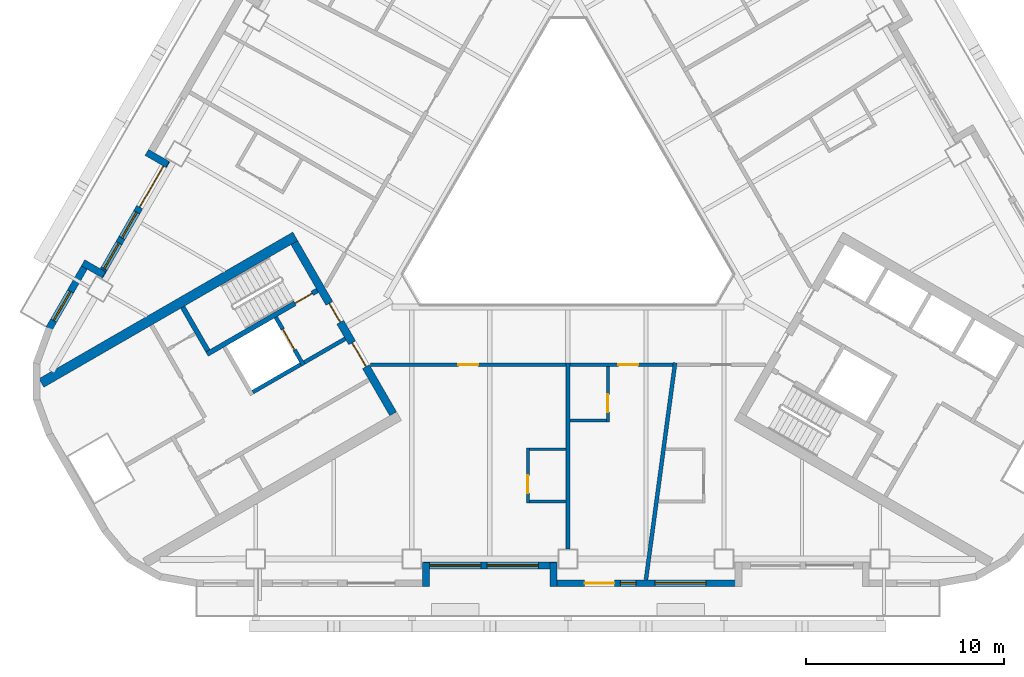
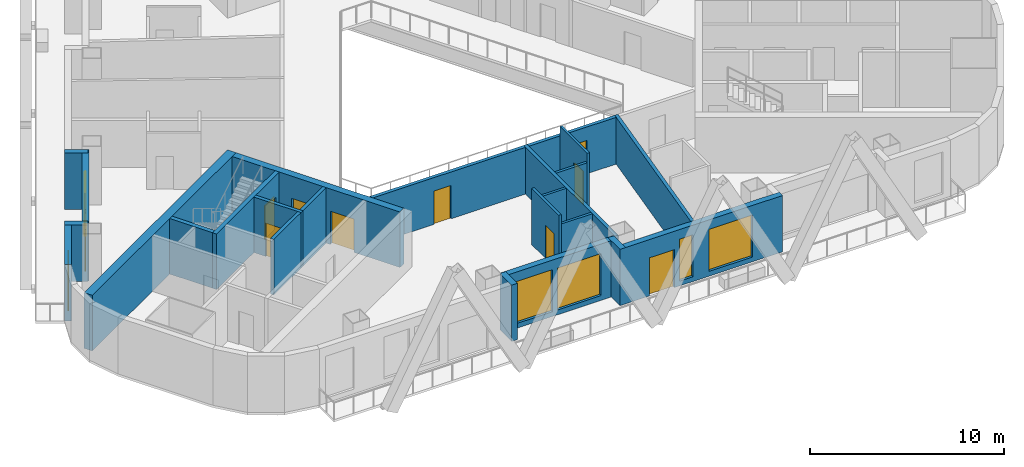
# One storey, part 3 of 13: 24 walls, 10 doors, 7 windows, 17 openings.
"""IFC4 building model written with IfcOpenShell, lengths in metres."""

from ifc_helpers import new_model, si_unit, direction, frame, frame_2d, origin, place, context, subcontext, project, spatial, rectangle, extrude, material, layer, layer_set, type_object, element, fill, save


model = new_model("IFC4")

# Units and contexts
model_context = context("Model", 3, precision=1e-05, world=origin(), true_north=direction((0.0, 1.0)))
body_context = subcontext(model_context, "Body", "Model", "MODEL_VIEW")
ifc_project = project(units=[si_unit("LENGTHUNIT", "METRE"), si_unit("AREAUNIT", "SQUARE_METRE"), si_unit("VOLUMEUNIT", "CUBIC_METRE"), si_unit("PLANEANGLEUNIT", "RADIAN"), si_unit("MASSUNIT", "GRAM", prefix="KILO")], contexts=[model_context])

# Site, building, storey
site_placement = place(None, origin())
site = spatial("IfcSite", under=ifc_project, at=site_placement, CompositionType="ELEMENT")
building_placement = place(site_placement, origin())
building = spatial("IfcBuilding", under=site, at=building_placement, Name="Apuvela Tower Hotel", CompositionType="ELEMENT")
storey_placement = place(building_placement, frame((0.0, 0.0, 61.300048828125)))
storey = spatial("IfcBuildingStorey", under=building, at=storey_placement, Name="L12", CompositionType="ELEMENT", Elevation=61.300048828125)

# Wall, openings, doors
ifc_material_1 = material(Name="Concrete C50/60", Category="concrete")
ifc_layer_1 = layer(ifc_material_1, 0.39990234375)
ifc_layer_set_1 = layer_set([ifc_layer_1], Name="COR-WALL-CORE-400")
wall_type_1 = type_object("IfcWallType", Name="COR-WALL-CORE-400", PredefinedType="SHEAR", material=ifc_layer_set_1)
wall_1_placement = place(storey_placement, frame((-13.844970703125, -2.219970703125, 0.0), z_axis=(0.0, 0.0, 1.0), x_axis=(0.500004234368, -0.866022959057, 0.0)))
wall_1 = element("IfcWall", 1, at=wall_1_placement, inside=storey, type_object=wall_type_1, Name="Core wall SW", PredefinedType="SHEAR", context=body_context, shape_type="SweptSolid", body=[
    extrude(rectangle(XDim=10.0, YDim=0.39990234375, at=frame_2d((5.0, 0.0))), origin(), (0.0, 0.0, 1.0), 3.5),
])
opening_1_placement = place(wall_1_placement, frame((3.550048828125, 0.0, 0.0)))
opening_1 = element("IfcOpeningElement", 2, at=opening_1_placement, cuts=wall_1, Name="Opening W-FD", PredefinedType="OPENING", context=body_context, shape_type="SweptSolid", body=[
    extrude(rectangle(XDim=1.10009765625, YDim=2.10009765625, at=frame_2d((0.550048828125, 1.050048828125))), frame((0.0, 0.2099609375, 0.0), z_axis=(0.0, -1.0, 0.0), x_axis=(1.0, 0.0, 0.0)), (0.0, 0.0, 1.0), 0.419921875),
])
opening_2_placement = place(wall_1_placement, frame((5.85009765625, 0.0, 0.0)))
opening_2 = element("IfcOpeningElement", 3, at=opening_2_placement, cuts=wall_1, Name="Opening W-GD", PredefinedType="OPENING", context=body_context, shape_type="SweptSolid", body=[
    extrude(rectangle(XDim=1.39990234375, YDim=2.10009765625, at=frame_2d((0.699951171875, 1.050048828125))), frame((0.0, 0.2099609375, 0.0), z_axis=(0.0, -1.0, 0.0), x_axis=(1.0, 0.0, 0.0)), (0.0, 0.0, 1.0), 0.419921875),
])
ifc_material_2 = material(Name="Steel fire door, powder coated", Category="steel")
door_type_1 = type_object("IfcDoorType", Name="COR-FD-1100", OperationType="NOTDEFINED", PredefinedType="DOOR", material=ifc_material_2)
door_1_placement = place(opening_1_placement, frame((1.10009765625, 0.0, 0.0), z_axis=(0.0, 0.0, 1.0), x_axis=(-1.0, 0.0, 0.0)))
door_1 = element("IfcDoor", 4, at=door_1_placement, inside=storey, type_object=door_type_1, Name="Firefighting lobby door W-FD", OperationType="SINGLE_SWING_LEFT", OverallHeight=2.10009765625, OverallWidth=1.10009765625, PredefinedType="DOOR", context=body_context, shape_type="SweptSolid", body=[
    extrude(rectangle(XDim=1.10009765625, YDim=2.10009765625, at=frame_2d((0.550048828125, 1.050048828125))), frame((0.0, 0.02490234375, 0.0), z_axis=(0.0, -1.0, 0.0), x_axis=(1.0, 0.0, 0.0)), (0.0, 0.0, 1.0), 0.050048828125),
])
fill(opening_1, door_1)
ifc_material_3 = material(Name="Glazed steel fire door", Category="steel")
door_type_2 = type_object("IfcDoorType", Name="COR-GD-1400", OperationType="DOUBLE_DOOR_SINGLE_SWING", PredefinedType="DOOR", material=ifc_material_3)
door_2_placement = place(opening_2_placement, frame((1.39990234375, 0.0, 0.0), z_axis=(0.0, 0.0, 1.0), x_axis=(-1.0, 0.0, 0.0)))
door_2 = element("IfcDoor", 5, at=door_2_placement, inside=storey, type_object=door_type_2, Name="Lift lobby door W-GD", OperationType="DOUBLE_DOOR_SINGLE_SWING", OverallHeight=2.10009765625, OverallWidth=1.39990234375, PredefinedType="DOOR", context=body_context, shape_type="SweptSolid", body=[
    extrude(rectangle(XDim=1.39990234375, YDim=2.10009765625, at=frame_2d((0.699951171875, 1.050048828125))), frame((0.0, 0.02490234375, 0.0), z_axis=(0.0, -1.0, 0.0), x_axis=(1.0, 0.0, 0.0)), (0.0, 0.0, 1.0), 0.050048828125),
])
fill(opening_2, door_2)

# Wall
ifc_layer_2 = layer(ifc_material_1, 0.5)
ifc_layer_set_2 = layer_set([ifc_layer_2], Name="COR-WALL-CORE-500")
wall_type_2 = type_object("IfcWallType", Name="COR-WALL-CORE-500", PredefinedType="SHEAR", material=ifc_layer_set_2)
wall_2_placement = place(storey_placement, frame((-13.796630859375, -1.9033203125, 0.0), z_axis=(0.0, 0.0, 1.0), x_axis=(-0.866025009528, -0.500000682871, 0.0)))
element("IfcWall", 6, at=wall_2_placement, inside=storey, type_object=wall_type_2, Name="Core wall SW", PredefinedType="SHEAR", context=body_context, shape_type="SweptSolid", body=[
    extrude(rectangle(XDim=14.8369140625, YDim=0.5, at=frame_2d((7.41845703125, 0.0))), origin(), (0.0, 0.0, 1.0), 3.5),
])

# Wall, opening, door
ifc_layer_3 = layer(ifc_material_1, 0.199951171875)
ifc_layer_set_3 = layer_set([ifc_layer_3], Name="COR-WALL-SHAFT-200")
wall_type_3 = type_object("IfcWallType", Name="COR-WALL-SHAFT-200", PredefinedType="SHEAR", material=ifc_layer_set_3)
wall_3_placement = place(storey_placement, frame((-14.783203125, -5.99462890625, 0.0), z_axis=(0.0, 0.0, 1.0), x_axis=(0.49994636267, -0.866056369097, 0.0)))
wall_3 = element("IfcWall", 7, at=wall_3_placement, inside=storey, type_object=wall_type_3, Name="Shaft wall SW", PredefinedType="SHEAR", context=body_context, shape_type="SweptSolid", body=[
    extrude(rectangle(XDim=2.800048828125, YDim=0.199951171875, at=frame_2d((1.39990234375, 0.0))), origin(), (0.0, 0.0, 1.0), 3.5),
])
opening_3_placement = place(wall_3_placement, frame((0.699951171875, 0.0, 0.0)))
opening_3 = element("IfcOpeningElement", 8, at=opening_3_placement, cuts=wall_3, Name="Opening W-LD-FS2", PredefinedType="OPENING", context=body_context, shape_type="SweptSolid", body=[
    extrude(rectangle(XDim=1.199951171875, YDim=2.10009765625, at=frame_2d((0.60009765625, 1.050048828125))), frame((0.0, 0.10986328125, 0.0), z_axis=(0.0, -1.0, 0.0), x_axis=(1.0, 0.0, 0.0)), (0.0, 0.0, 1.0), 0.219970703125),
])
ifc_material_4 = material(Name="Stainless steel lift landing door", Category="steel")
door_type_3 = type_object("IfcDoorType", Name="COR-LD-1200", OperationType="DOUBLE_DOOR_SLIDING", PredefinedType="DOOR", material=ifc_material_4)
door_3_placement = place(opening_3_placement, origin())
door_3 = element("IfcDoor", 9, at=door_3_placement, inside=storey, type_object=door_type_3, Name="Lift landing door W-LD-FS2", OperationType="DOUBLE_DOOR_SLIDING", OverallHeight=2.10009765625, OverallWidth=1.199951171875, PredefinedType="DOOR", context=body_context, shape_type="SweptSolid", body=[
    extrude(rectangle(XDim=1.199951171875, YDim=2.10009765625, at=frame_2d((0.60009765625, 1.050048828125))), frame((0.0, 0.02490234375, 0.0), z_axis=(0.0, -1.0, 0.0), x_axis=(1.0, 0.0, 0.0)), (0.0, 0.0, 1.0), 0.050048828125),
])
fill(opening_3, door_3)

# Walls
wall_4_placement = place(storey_placement, frame((-13.519775390625, -8.383056640625, 0.0), z_axis=(0.0, 0.0, 1.0), x_axis=(-0.866034573852, -0.49998411664, 0.0)))
element("IfcWall", 10, at=wall_4_placement, inside=storey, type_object=wall_type_3, Name="Shaft wall SW", PredefinedType="SHEAR", context=body_context, shape_type="SweptSolid", body=[
    extrude(rectangle(XDim=2.7998046875, YDim=0.199951171875, at=frame_2d((1.39990234375, 0.0))), origin(), (0.0, 0.0, 1.0), 3.5),
])
wall_5_placement = place(storey_placement, frame((-11.26806640625, -7.0830078125, 0.0), z_axis=(0.0, 0.0, 1.0), x_axis=(-0.866050077142, -0.499957262057, 0.0)))
element("IfcWall", 11, at=wall_5_placement, inside=storey, type_object=wall_type_3, Name="Shaft wall SW", PredefinedType="SHEAR", context=body_context, shape_type="SweptSolid", body=[
    extrude(rectangle(XDim=2.400146484375, YDim=0.199951171875, at=frame_2d((1.2001953125, 0.0))), origin(), (0.0, 0.0, 1.0), 3.5),
])

# Wall, opening, door
ifc_layer_4 = layer(ifc_material_1, 0.25)
ifc_layer_set_4 = layer_set([ifc_layer_4], Name="COR-WALL-STAIR-250")
wall_type_4 = type_object("IfcWallType", Name="COR-WALL-STAIR-250", PredefinedType="SHEAR", material=ifc_layer_set_4)
wall_6_placement = place(storey_placement, frame((-12.6806640625, -4.636474609375, 0.0), z_axis=(0.0, 0.0, 1.0), x_axis=(-0.866021702275, -0.500006411147, 0.0)))
wall_6 = element("IfcWall", 12, at=wall_6_placement, inside=storey, type_object=wall_type_4, Name="Stair wall SW", PredefinedType="SHEAR", context=body_context, shape_type="SweptSolid", body=[
    extrude(rectangle(XDim=6.4501953125, YDim=0.25, at=frame_2d((3.22509765625, 0.0))), origin(), (0.0, 0.0, 1.0), 3.5),
])
opening_4_placement = place(wall_6_placement, frame((0.300048828125, 0.0, 0.0)))
opening_4 = element("IfcOpeningElement", 13, at=opening_4_placement, cuts=wall_6, Name="Opening W-SD", PredefinedType="OPENING", context=body_context, shape_type="SweptSolid", body=[
    extrude(rectangle(XDim=1.0, YDim=2.10009765625, at=frame_2d((0.5, 1.050048828125))), frame((0.0, 0.135009765625, 0.0), z_axis=(0.0, -1.0, 0.0), x_axis=(1.0, 0.0, 0.0)), (0.0, 0.0, 1.0), 0.27001953125),
])
door_type_4 = type_object("IfcDoorType", Name="COR-SD-1000", OperationType="NOTDEFINED", PredefinedType="DOOR", material=ifc_material_2)
door_4_placement = place(opening_4_placement, frame((1.0, 0.0, 0.0), z_axis=(0.0, 0.0, 1.0), x_axis=(-1.0, 0.0, 0.0)))
door_4 = element("IfcDoor", 14, at=door_4_placement, inside=storey, type_object=door_type_4, Name="Stair door W-SD", OperationType="SINGLE_SWING_LEFT", OverallHeight=2.10009765625, OverallWidth=1.0, PredefinedType="DOOR", context=body_context, shape_type="SweptSolid", body=[
    extrude(rectangle(XDim=1.0, YDim=2.10009765625, at=frame_2d((0.5, 1.050048828125))), frame((0.0, 0.02490234375, 0.0), z_axis=(0.0, -1.0, 0.0), x_axis=(1.0, 0.0, 0.0)), (0.0, 0.0, 1.0), 0.050048828125),
])
fill(opening_4, door_4)

# Walls
wall_7_placement = place(storey_placement, frame((-19.49560546875, -5.482421875, 0.0), z_axis=(0.0, 0.0, 1.0), x_axis=(0.499990435942, -0.866030925526, 0.0)))
element("IfcWall", 15, at=wall_7_placement, inside=storey, type_object=wall_type_4, Name="Stair wall SW", PredefinedType="SHEAR", context=body_context, shape_type="SweptSolid", body=[
    extrude(rectangle(XDim=2.5498046875, YDim=0.25, at=frame_2d((1.27490234375, 0.0))), origin(), (0.0, 0.0, 1.0), 3.5),
])
ifc_material_5 = material(Name="Concrete C40/50, dark pigmented precast panel", Category="concrete")
ifc_layer_5 = layer(ifc_material_5, 0.35009765625)
ifc_layer_set_5 = layer_set([ifc_layer_5], Name="ENV-WALL-350")
wall_type_5 = type_object("IfcWallType", Name="ENV-WALL-350", PredefinedType="SOLIDWALL", material=ifc_layer_set_5)
wall_8_placement = place(storey_placement, frame((-21.3125, 2.345703125, 0.0), z_axis=(0.0, 0.0, 1.0), x_axis=(0.866005645448, -0.500034220881, 0.0)))
element("IfcWall", 16, at=wall_8_placement, inside=storey, type_object=wall_type_5, Name="External wall L12-06", PredefinedType="SOLIDWALL", context=body_context, shape_type="SweptSolid", body=[
    extrude(rectangle(XDim=1.22021484375, YDim=0.35009765625, at=frame_2d((0.610107421875, 0.0))), origin(), (0.0, 0.0, 1.0), 3.550048828125),
])

# Wall, openings, door, windows
wall_9_placement = place(storey_placement, frame((-20.30908203125, 1.93359375, 0.0), z_axis=(0.0, 0.0, 1.0), x_axis=(-0.499992114976, -0.866029956157, 0.0)))
wall_9 = element("IfcWall", 17, at=wall_9_placement, inside=storey, type_object=wall_type_5, Name="External wall L12-07", PredefinedType="SOLIDWALL", context=body_context, shape_type="SweptSolid", body=[
    extrude(rectangle(XDim=6.73974609375, YDim=0.35009765625, at=frame_2d((3.369873046875, 0.0))), origin(), (0.0, 0.0, 1.0), 3.550048828125),
])
opening_5_placement = place(wall_9_placement, frame((0.320068359375, 0.0, 0.0)))
opening_5 = element("IfcOpeningElement", 18, at=opening_5_placement, cuts=wall_9, Name="Opening BD24", PredefinedType="OPENING", context=body_context, shape_type="SweptSolid", body=[
    extrude(rectangle(XDim=2.39990234375, YDim=2.39990234375, at=frame_2d((1.199951171875, 1.199951171875))), frame((0.0, 0.18505859375, 0.0), z_axis=(0.0, -1.0, 0.0), x_axis=(1.0, 0.0, 0.0)), (0.0, 0.0, 1.0), 0.3701171875),
])
opening_6_placement = place(wall_9_placement, frame((3.02001953125, 0.0, 0.300048828125)))
opening_6 = element("IfcOpeningElement", 19, at=opening_6_placement, cuts=wall_9, Name="Opening WN15", PredefinedType="OPENING", context=body_context, shape_type="SweptSolid", body=[
    extrude(rectangle(XDim=1.5, YDim=2.64990234375, at=frame_2d((0.75, 1.324951171875))), frame((0.0, 0.18505859375, 0.0), z_axis=(0.0, -1.0, 0.0), x_axis=(1.0, 0.0, 0.0)), (0.0, 0.0, 1.0), 0.3701171875),
])
opening_7_placement = place(wall_9_placement, frame((4.820068359375, 0.0, 0.300048828125)))
opening_7 = element("IfcOpeningElement", 20, at=opening_7_placement, cuts=wall_9, Name="Opening WN15", PredefinedType="OPENING", context=body_context, shape_type="SweptSolid", body=[
    extrude(rectangle(XDim=1.5, YDim=2.64990234375, at=frame_2d((0.75, 1.324951171875))), frame((0.0, 0.18505859375, 0.0), z_axis=(0.0, -1.0, 0.0), x_axis=(1.0, 0.0, 0.0)), (0.0, 0.0, 1.0), 0.3701171875),
])
ifc_material_6 = material(Name="Aluminium 6063-T6, dark bronze anodised frame with dark tinted laminated glass", Category="aluminium")
door_type_5 = type_object("IfcDoorType", Name="ENV-DOOR-BALCONY-2400x2400", OperationType="SLIDING_TO_LEFT", PredefinedType="DOOR", material=ifc_material_6)
door_5_placement = place(opening_5_placement, frame((2.39990234375, 0.0, 0.0), z_axis=(0.0, 0.0, 1.0), x_axis=(-1.0, 0.0, 0.0)))
door_5 = element("IfcDoor", 21, at=door_5_placement, inside=storey, type_object=door_type_5, Name="Balcony door BD24", OperationType="SLIDING_TO_LEFT", OverallHeight=2.39990234375, OverallWidth=2.39990234375, PredefinedType="DOOR", context=body_context, shape_type="SweptSolid", body=[
    extrude(rectangle(XDim=2.39990234375, YDim=2.39990234375, at=frame_2d((1.199951171875, 1.199951171875))), frame((0.0, 0.02490234375, 0.0), z_axis=(0.0, -1.0, 0.0), x_axis=(1.0, 0.0, 0.0)), (0.0, 0.0, 1.0), 0.050048828125),
])
fill(opening_5, door_5)
ifc_material_7 = material(Name="Glass, dark tinted laminated insulated glazing unit", Category="glass")
window_type_1 = type_object("IfcWindowType", Name="ENV-WIN-1500x2650", PartitioningType="SINGLE_PANEL", PredefinedType="WINDOW", material=ifc_material_7)
window_1_placement = place(opening_6_placement, origin())
window_1 = element("IfcWindow", 22, at=window_1_placement, inside=storey, type_object=window_type_1, Name="Window WN15", OverallHeight=2.64990234375, OverallWidth=1.5, PartitioningType="SINGLE_PANEL", PredefinedType="WINDOW", context=body_context, shape_type="SweptSolid", body=[
    extrude(rectangle(XDim=1.5, YDim=2.64990234375, at=frame_2d((0.75, 1.324951171875))), frame((0.0, 0.030029296875, 0.0), z_axis=(0.0, -1.0, 0.0), x_axis=(1.0, 0.0, 0.0)), (0.0, 0.0, 1.0), 0.06005859375),
])
fill(opening_6, window_1)
window_2_placement = place(opening_7_placement, origin())
window_2 = element("IfcWindow", 23, at=window_2_placement, inside=storey, type_object=window_type_1, Name="Window WN15", OverallHeight=2.64990234375, OverallWidth=1.5, PartitioningType="SINGLE_PANEL", PredefinedType="WINDOW", context=body_context, shape_type="SweptSolid", body=[
    extrude(rectangle(XDim=1.5, YDim=2.64990234375, at=frame_2d((0.75, 1.324951171875))), frame((0.0, 0.030029296875, 0.0), z_axis=(0.0, -1.0, 0.0), x_axis=(1.0, 0.0, 0.0)), (0.0, 0.0, 1.0), 0.06005859375),
])
fill(opening_7, window_2)

# Wall
wall_10_placement = place(storey_placement, frame((-23.48095703125, -3.85009765625, 0.0), z_axis=(0.0, 0.0, 1.0), x_axis=(-0.866092288191, 0.499884134912, 0.0)))
element("IfcWall", 24, at=wall_10_placement, inside=storey, type_object=wall_type_5, Name="External wall L12-08", PredefinedType="SOLIDWALL", context=body_context, shape_type="SweptSolid", body=[
    extrude(rectangle(XDim=1.219970703125, YDim=0.35009765625, at=frame_2d((0.60986328125, 0.0))), origin(), (0.0, 0.0, 1.0), 3.550048828125),
])

# Wall, opening, window
wall_11_placement = place(storey_placement, frame((-24.298583984375, -3.17626953125, 0.0), z_axis=(0.0, 0.0, 1.0), x_axis=(-0.500028278809, -0.866009076391, 0.0)))
wall_11 = element("IfcWall", 25, at=wall_11_placement, inside=storey, type_object=wall_type_5, Name="External wall L12-09", PredefinedType="SOLIDWALL", context=body_context, shape_type="SweptSolid", body=[
    extrude(rectangle(XDim=3.915771484375, YDim=0.35009765625, at=frame_2d((1.9580078125, 0.0))), origin(), (0.0, 0.0, 1.0), 3.550048828125),
])
opening_8_placement = place(wall_11_placement, frame((1.750244140625, 0.0, 0.300048828125)))
opening_8 = element("IfcOpeningElement", 26, at=opening_8_placement, cuts=wall_11, Name="Opening WN17", PredefinedType="OPENING", context=body_context, shape_type="SweptSolid", body=[
    extrude(rectangle(XDim=1.699951171875, YDim=2.64990234375, at=frame_2d((0.85009765625, 1.324951171875))), frame((0.0, 0.18505859375, 0.0), z_axis=(0.0, -1.0, 0.0), x_axis=(1.0, 0.0, 0.0)), (0.0, 0.0, 1.0), 0.3701171875),
])
window_type_2 = type_object("IfcWindowType", Name="ENV-WIN-1700x2650", PartitioningType="SINGLE_PANEL", PredefinedType="WINDOW", material=ifc_material_7)
window_3_placement = place(opening_8_placement, origin())
window_3 = element("IfcWindow", 27, at=window_3_placement, inside=storey, type_object=window_type_2, Name="Window WN17", OverallHeight=2.64990234375, OverallWidth=1.699951171875, PartitioningType="SINGLE_PANEL", PredefinedType="WINDOW", context=body_context, shape_type="SweptSolid", body=[
    extrude(rectangle(XDim=1.699951171875, YDim=2.64990234375, at=frame_2d((0.85009765625, 1.324951171875))), frame((0.0, 0.030029296875, 0.0), z_axis=(0.0, -1.0, 0.0), x_axis=(1.0, 0.0, 0.0)), (0.0, 0.0, 1.0), 0.06005859375),
])
fill(opening_8, window_3)

# Wall
wall_12_placement = place(storey_placement, frame((-7.175048828125, -19.6298828125, 0.0), z_axis=(0.0, 0.0, 1.0), x_axis=(0.0, 1.0, 0.0)))
element("IfcWall", 28, at=wall_12_placement, inside=storey, type_object=wall_type_5, Name="External wall L12-18", PredefinedType="SOLIDWALL", context=body_context, shape_type="SweptSolid", body=[
    extrude(rectangle(XDim=1.219970703125, YDim=0.35009765625, at=frame_2d((0.60986328125, 0.0))), origin(), (0.0, 0.0, 1.0), 3.550048828125),
])

# Wall, openings, windows
wall_13_placement = place(storey_placement, frame((-7.320068359375, -18.554931640625, 0.0), z_axis=(0.0, 0.0, 1.0), x_axis=(1.0, 0.0, 0.0)))
wall_13 = element("IfcWall", 29, at=wall_13_placement, inside=storey, type_object=wall_type_5, Name="External wall L12-19", PredefinedType="SOLIDWALL", context=body_context, shape_type="SweptSolid", body=[
    extrude(rectangle(XDim=6.739990234375, YDim=0.35009765625, at=frame_2d((3.3701171875, 0.0))), origin(), (0.0, 0.0, 1.0), 3.550048828125),
])
opening_9_placement = place(wall_13_placement, frame((0.3203125, 0.0, 0.300048828125)))
opening_9 = element("IfcOpeningElement", 30, at=opening_9_placement, cuts=wall_13, Name="Opening WN26", PredefinedType="OPENING", context=body_context, shape_type="SweptSolid", body=[
    extrude(rectangle(XDim=2.60009765625, YDim=2.64990234375, at=frame_2d((1.300048828125, 1.324951171875))), frame((0.0, 0.18505859375, 0.0), z_axis=(0.0, -1.0, 0.0), x_axis=(1.0, 0.0, 0.0)), (0.0, 0.0, 1.0), 0.3701171875),
])
opening_10_placement = place(wall_13_placement, frame((3.220458984375, 0.0, 0.300048828125)))
opening_10 = element("IfcOpeningElement", 31, at=opening_10_placement, cuts=wall_13, Name="Opening WN26", PredefinedType="OPENING", context=body_context, shape_type="SweptSolid", body=[
    extrude(rectangle(XDim=2.60009765625, YDim=2.64990234375, at=frame_2d((1.300048828125, 1.324951171875))), frame((0.0, 0.18505859375, 0.0), z_axis=(0.0, -1.0, 0.0), x_axis=(1.0, 0.0, 0.0)), (0.0, 0.0, 1.0), 0.3701171875),
])
window_type_3 = type_object("IfcWindowType", Name="ENV-WIN-2600x2650", PartitioningType="SINGLE_PANEL", PredefinedType="WINDOW", material=ifc_material_7)
window_4_placement = place(opening_9_placement, origin())
window_4 = element("IfcWindow", 32, at=window_4_placement, inside=storey, type_object=window_type_3, Name="Window WN26", OverallHeight=2.64990234375, OverallWidth=2.60009765625, PartitioningType="SINGLE_PANEL", PredefinedType="WINDOW", context=body_context, shape_type="SweptSolid", body=[
    extrude(rectangle(XDim=2.60009765625, YDim=2.64990234375, at=frame_2d((1.300048828125, 1.324951171875))), frame((0.0, 0.030029296875, 0.0), z_axis=(0.0, -1.0, 0.0), x_axis=(1.0, 0.0, 0.0)), (0.0, 0.0, 1.0), 0.06005859375),
])
fill(opening_9, window_4)
window_5_placement = place(opening_10_placement, origin())
window_5 = element("IfcWindow", 33, at=window_5_placement, inside=storey, type_object=window_type_3, Name="Window WN26", OverallHeight=2.64990234375, OverallWidth=2.60009765625, PartitioningType="SINGLE_PANEL", PredefinedType="WINDOW", context=body_context, shape_type="SweptSolid", body=[
    extrude(rectangle(XDim=2.60009765625, YDim=2.64990234375, at=frame_2d((1.300048828125, 1.324951171875))), frame((0.0, 0.030029296875, 0.0), z_axis=(0.0, -1.0, 0.0), x_axis=(1.0, 0.0, 0.0)), (0.0, 0.0, 1.0), 0.06005859375),
])
fill(opening_10, window_5)

# Wall
wall_14_placement = place(storey_placement, frame((-0.72509765625, -18.409912109375, 0.0), z_axis=(0.0, 0.0, 1.0), x_axis=(0.0, -1.0, 0.0)))
element("IfcWall", 34, at=wall_14_placement, inside=storey, type_object=wall_type_5, Name="External wall L12-20", PredefinedType="SOLIDWALL", context=body_context, shape_type="SweptSolid", body=[
    extrude(rectangle(XDim=1.219970703125, YDim=0.35009765625, at=frame_2d((0.60986328125, 0.0))), origin(), (0.0, 0.0, 1.0), 3.550048828125),
])

# Wall, openings, door, windows
wall_15_placement = place(storey_placement, frame((-0.89990234375, -19.455078125, 0.0), z_axis=(0.0, 0.0, 1.0), x_axis=(1.0, 0.0, 0.0)))
wall_15 = element("IfcWall", 35, at=wall_15_placement, inside=storey, type_object=wall_type_5, Name="External wall L12-21", PredefinedType="SOLIDWALL", context=body_context, shape_type="SweptSolid", body=[
    extrude(rectangle(XDim=9.699951171875, YDim=0.35009765625, at=frame_2d((4.85009765625, 0.0))), origin(), (0.0, 0.0, 1.0), 3.550048828125),
])
opening_11_placement = place(wall_15_placement, frame((1.75, 0.0, 0.0)))
opening_11 = element("IfcOpeningElement", 36, at=opening_11_placement, cuts=wall_15, Name="Opening BD15", PredefinedType="OPENING", context=body_context, shape_type="SweptSolid", body=[
    extrude(rectangle(XDim=1.5, YDim=2.39990234375, at=frame_2d((0.75, 1.199951171875))), frame((0.0, 0.18505859375, 0.0), z_axis=(0.0, -1.0, 0.0), x_axis=(1.0, 0.0, 0.0)), (0.0, 0.0, 1.0), 0.3701171875),
])
opening_12_placement = place(wall_15_placement, frame((3.550048828125, 0.0, 0.300048828125)))
opening_12 = element("IfcOpeningElement", 37, at=opening_12_placement, cuts=wall_15, Name="Opening WN08", PredefinedType="OPENING", context=body_context, shape_type="SweptSolid", body=[
    extrude(rectangle(XDim=0.800048828125, YDim=2.64990234375, at=frame_2d((0.39990234375, 1.324951171875))), frame((0.0, 0.18505859375, 0.0), z_axis=(0.0, -1.0, 0.0), x_axis=(1.0, 0.0, 0.0)), (0.0, 0.0, 1.0), 0.3701171875),
])
opening_13_placement = place(wall_15_placement, frame((5.30078125, 0.0, 0.300048828125)))
opening_13 = element("IfcOpeningElement", 38, at=opening_13_placement, cuts=wall_15, Name="Opening WN26", PredefinedType="OPENING", context=body_context, shape_type="SweptSolid", body=[
    extrude(rectangle(XDim=2.60009765625, YDim=2.64990234375, at=frame_2d((1.300048828125, 1.324951171875))), frame((0.0, 0.18505859375, 0.0), z_axis=(0.0, -1.0, 0.0), x_axis=(1.0, 0.0, 0.0)), (0.0, 0.0, 1.0), 0.3701171875),
])
door_type_6 = type_object("IfcDoorType", Name="ENV-DOOR-BALCONY-1500x2400", OperationType="SLIDING_TO_LEFT", PredefinedType="DOOR", material=ifc_material_6)
door_6_placement = place(opening_11_placement, frame((1.5, 0.0, 0.0), z_axis=(0.0, 0.0, 1.0), x_axis=(-1.0, 0.0, 0.0)))
door_6 = element("IfcDoor", 39, at=door_6_placement, inside=storey, type_object=door_type_6, Name="Balcony door BD15", OperationType="SLIDING_TO_LEFT", OverallHeight=2.39990234375, OverallWidth=1.5, PredefinedType="DOOR", context=body_context, shape_type="SweptSolid", body=[
    extrude(rectangle(XDim=1.5, YDim=2.39990234375, at=frame_2d((0.75, 1.199951171875))), frame((0.0, 0.02490234375, 0.0), z_axis=(0.0, -1.0, 0.0), x_axis=(1.0, 0.0, 0.0)), (0.0, 0.0, 1.0), 0.050048828125),
])
fill(opening_11, door_6)
window_6_placement = place(opening_13_placement, origin())
window_6 = element("IfcWindow", 40, at=window_6_placement, inside=storey, type_object=window_type_3, Name="Window WN26", OverallHeight=2.64990234375, OverallWidth=2.60009765625, PartitioningType="SINGLE_PANEL", PredefinedType="WINDOW", context=body_context, shape_type="SweptSolid", body=[
    extrude(rectangle(XDim=2.60009765625, YDim=2.64990234375, at=frame_2d((1.300048828125, 1.324951171875))), frame((0.0, 0.030029296875, 0.0), z_axis=(0.0, -1.0, 0.0), x_axis=(1.0, 0.0, 0.0)), (0.0, 0.0, 1.0), 0.06005859375),
])
fill(opening_13, window_6)
window_type_4 = type_object("IfcWindowType", Name="ENV-WIN-800x2650", PartitioningType="SINGLE_PANEL", PredefinedType="WINDOW", material=ifc_material_7)
window_7_placement = place(opening_12_placement, origin())
window_7 = element("IfcWindow", 41, at=window_7_placement, inside=storey, type_object=window_type_4, Name="Window WN08", OverallHeight=2.64990234375, OverallWidth=0.800048828125, PartitioningType="SINGLE_PANEL", PredefinedType="WINDOW", context=body_context, shape_type="SweptSolid", body=[
    extrude(rectangle(XDim=0.800048828125, YDim=2.64990234375, at=frame_2d((0.39990234375, 1.324951171875))), frame((0.0, 0.030029296875, 0.0), z_axis=(0.0, -1.0, 0.0), x_axis=(1.0, 0.0, 0.0)), (0.0, 0.0, 1.0), 0.06005859375),
])
fill(opening_12, window_7)

# Walls
ifc_material_8 = material(Name="Gypsum board partition on twin steel stud", Category="steel")
ifc_layer_6 = layer(ifc_material_8, 0.199951171875)
ifc_layer_set_6 = layer_set([ifc_layer_6], Name="GST-PW1")
wall_type_6 = type_object("IfcWallType", Name="GST-PW1", PredefinedType="PARTITIONING", material=ifc_layer_set_6)
wall_16_placement = place(storey_placement, frame((0.0, -17.72998046875, 0.0), z_axis=(0.0, 0.0, 1.0), x_axis=(0.0, 1.0, 0.0)))
element("IfcWall", 42, at=wall_16_placement, inside=storey, type_object=wall_type_6, Name="L12 partition 01", PredefinedType="PARTITIONING", context=body_context, shape_type="SweptSolid", body=[
    extrude(rectangle(XDim=9.429931640625, YDim=0.199951171875, at=frame_2d((4.71484375, 0.0))), origin(), (0.0, 0.0, 1.0), 2.949951171875),
])
wall_17_placement = place(storey_placement, frame((3.949951171875, -19.280029296875, 0.0), z_axis=(0.0, 0.0, 1.0), x_axis=(0.133321271807, 0.991072872439, 0.0)))
element("IfcWall", 43, at=wall_17_placement, inside=storey, type_object=wall_type_6, Name="L12 partition 02", PredefinedType="PARTITIONING", context=body_context, shape_type="SweptSolid", body=[
    extrude(rectangle(XDim=11.078857421875, YDim=0.199951171875, at=frame_2d((5.53955078125, 0.0))), origin(), (0.0, 0.0, 1.0), 2.949951171875),
])

# Wall, opening, door
ifc_material_9 = material(Name="Gypsum board corridor wall on twin steel stud, acoustic", Category="steel")
ifc_layer_7 = layer(ifc_material_9, 0.199951171875)
ifc_layer_set_7 = layer_set([ifc_layer_7], Name="GST-PW2")
wall_type_7 = type_object("IfcWallType", Name="GST-PW2", PredefinedType="PARTITIONING", material=ifc_layer_set_7)
wall_18_placement = place(storey_placement, frame((-0.10009765625, -8.39990234375, 0.0), z_axis=(0.0, 0.0, 1.0), x_axis=(-1.0, 0.0, 0.0)))
wall_18 = element("IfcWall", 44, at=wall_18_placement, inside=storey, type_object=wall_type_7, Name="L12 partition 07", PredefinedType="PARTITIONING", context=body_context, shape_type="SweptSolid", body=[
    extrude(rectangle(XDim=9.88818359375, YDim=0.199951171875, at=frame_2d((4.944091796875, 0.0))), origin(), (0.0, 0.0, 1.0), 2.949951171875),
])
opening_14_placement = place(wall_18_placement, frame((4.444091796875, 0.0, 0.0)))
opening_14 = element("IfcOpeningElement", 45, at=opening_14_placement, cuts=wall_18, Name="Opening GD03-02", PredefinedType="OPENING", context=body_context, shape_type="SweptSolid", body=[
    extrude(rectangle(XDim=1.0, YDim=2.10009765625, at=frame_2d((0.5, 1.050048828125))), frame((0.0, 0.10986328125, 0.0), z_axis=(0.0, -1.0, 0.0), x_axis=(1.0, 0.0, 0.0)), (0.0, 0.0, 1.0), 0.219970703125),
])
ifc_material_10 = material(Name="Timber door leaf in steel frame", Category="steel")
door_type_7 = type_object("IfcDoorType", Name="GST-D1", OperationType="NOTDEFINED", PredefinedType="DOOR", material=ifc_material_10)
door_7_placement = place(opening_14_placement, origin())
door_7 = element("IfcDoor", 46, at=door_7_placement, inside=storey, type_object=door_type_7, Name="Door L12-02", OperationType="SINGLE_SWING_LEFT", OverallHeight=2.10009765625, OverallWidth=1.0, PredefinedType="DOOR", context=body_context, shape_type="SweptSolid", body=[
    extrude(rectangle(XDim=1.0, YDim=2.10009765625, at=frame_2d((0.5, 1.050048828125))), frame((0.0, 0.02490234375, 0.0), z_axis=(0.0, -1.0, 0.0), x_axis=(1.0, 0.0, 0.0)), (0.0, 0.0, 1.0), 0.050048828125),
])
fill(opening_14, door_7)

wall_19_placement = place(storey_placement, frame((5.3125, -8.39990234375, 0.0), z_axis=(0.0, 0.0, 1.0), x_axis=(-1.0, 0.0, 0.0)))
wall_19 = element("IfcWall", 47, at=wall_19_placement, inside=storey, type_object=wall_type_7, Name="L12 partition 11", PredefinedType="PARTITIONING", context=body_context, shape_type="SweptSolid", body=[
    extrude(rectangle(XDim=5.21240234375, YDim=0.199951171875, at=frame_2d((2.606201171875, 0.0))), origin(), (0.0, 0.0, 1.0), 2.949951171875),
])
opening_15_placement = place(wall_19_placement, frame((1.7626953125, 0.0, 0.0)))
opening_15 = element("IfcOpeningElement", 48, at=opening_15_placement, cuts=wall_19, Name="Opening GD03-04", PredefinedType="OPENING", context=body_context, shape_type="SweptSolid", body=[
    extrude(rectangle(XDim=1.0, YDim=2.10009765625, at=frame_2d((0.5, 1.050048828125))), frame((0.0, 0.10986328125, 0.0), z_axis=(0.0, -1.0, 0.0), x_axis=(1.0, 0.0, 0.0)), (0.0, 0.0, 1.0), 0.219970703125),
])
door_8_placement = place(opening_15_placement, origin())
door_8 = element("IfcDoor", 49, at=door_8_placement, inside=storey, type_object=door_type_7, Name="Door L12-04", OperationType="SINGLE_SWING_LEFT", OverallHeight=2.10009765625, OverallWidth=1.0, PredefinedType="DOOR", context=body_context, shape_type="SweptSolid", body=[
    extrude(rectangle(XDim=1.0, YDim=2.10009765625, at=frame_2d((0.5, 1.050048828125))), frame((0.0, 0.02490234375, 0.0), z_axis=(0.0, -1.0, 0.0), x_axis=(1.0, 0.0, 0.0)), (0.0, 0.0, 1.0), 0.050048828125),
])
fill(opening_15, door_8)

ifc_material_11 = material(Name="Moisture-resistant gypsum board wet wall on steel stud", Category="steel")
ifc_layer_8 = layer(ifc_material_11, 0.14990234375)
ifc_layer_set_8 = layer_set([ifc_layer_8], Name="GST-PW3")
wall_type_8 = type_object("IfcWallType", Name="GST-PW3", PredefinedType="PARTITIONING", material=ifc_layer_set_8)
wall_20_placement = place(storey_placement, frame((-2.02490234375, -12.60009765625, 0.0), z_axis=(0.0, 0.0, 1.0), x_axis=(0.0, -1.0, 0.0)))
wall_20 = element("IfcWall", 50, at=wall_20_placement, inside=storey, type_object=wall_type_8, Name="L12 partition 08", PredefinedType="PARTITIONING", context=body_context, shape_type="SweptSolid", body=[
    extrude(rectangle(XDim=2.7998046875, YDim=0.14990234375, at=frame_2d((1.39990234375, 0.0))), origin(), (0.0, 0.0, 1.0), 3.550048828125),
])
opening_16_placement = place(wall_20_placement, frame((1.39990234375, 0.0, 0.0)))
opening_16 = element("IfcOpeningElement", 51, at=opening_16_placement, cuts=wall_20, Name="Opening GD03-01", PredefinedType="OPENING", context=body_context, shape_type="SweptSolid", body=[
    extrude(rectangle(XDim=0.89990234375, YDim=2.10009765625, at=frame_2d((0.449951171875, 1.050048828125))), frame((0.0, 0.0849609375, 0.0), z_axis=(0.0, -1.0, 0.0), x_axis=(1.0, 0.0, 0.0)), (0.0, 0.0, 1.0), 0.169921875),
])
door_type_8 = type_object("IfcDoorType", Name="GST-D2", OperationType="NOTDEFINED", PredefinedType="DOOR", material=ifc_material_10)
door_9_placement = place(opening_16_placement, origin())
door_9 = element("IfcDoor", 52, at=door_9_placement, inside=storey, type_object=door_type_8, Name="Door L12-01", OperationType="SINGLE_SWING_RIGHT", OverallHeight=2.10009765625, OverallWidth=0.89990234375, PredefinedType="DOOR", context=body_context, shape_type="SweptSolid", body=[
    extrude(rectangle(XDim=0.89990234375, YDim=2.10009765625, at=frame_2d((0.449951171875, 1.050048828125))), frame((0.0, 0.02490234375, 0.0), z_axis=(0.0, -1.0, 0.0), x_axis=(1.0, 0.0, 0.0)), (0.0, 0.0, 1.0), 0.050048828125),
])
fill(opening_16, door_9)

# Walls
for number, where, z_axis, x_axis, name in (
    (53, (-1.949951171875, -15.324951171875, 0.0), (0.0, 0.0, 1.0), (1.0, 0.0, 0.0), "L12 partition 09"),
    (54, (-1.949951171875, -12.675048828125, 0.0), (0.0, 0.0, 1.0), (1.0, 0.0, 0.0), "L12 partition 10"),
):
    element("IfcWall", number, at=place(storey_placement, frame(where, z_axis=z_axis, x_axis=x_axis)), inside=storey, type_object=wall_type_8, Name=name, PredefinedType="PARTITIONING", context=body_context, shape_type="SweptSolid", body=[
        extrude(rectangle(XDim=1.849853515625, YDim=0.14990234375, at=frame_2d((0.9248046875, 0.0))), origin(), (0.0, 0.0, 1.0), 2.949951171875),
    ])

# Wall, opening, door
wall_21_placement = place(storey_placement, frame((2.02490234375, -11.300048828125, 0.0), z_axis=(0.0, 0.0, 1.0), x_axis=(0.0, 1.0, 0.0)))
wall_21 = element("IfcWall", 55, at=wall_21_placement, inside=storey, type_object=wall_type_8, Name="L12 partition 12", PredefinedType="PARTITIONING", context=body_context, shape_type="SweptSolid", body=[
    extrude(rectangle(XDim=2.800048828125, YDim=0.14990234375, at=frame_2d((1.39990234375, 0.0))), origin(), (0.0, 0.0, 1.0), 3.550048828125),
])
opening_17_placement = place(wall_21_placement, frame((0.5, 0.0, 0.0)))
opening_17 = element("IfcOpeningElement", 56, at=opening_17_placement, cuts=wall_21, Name="Opening GD03-03", PredefinedType="OPENING", context=body_context, shape_type="SweptSolid", body=[
    extrude(rectangle(XDim=0.89990234375, YDim=2.10009765625, at=frame_2d((0.449951171875, 1.050048828125))), frame((0.0, 0.0849609375, 0.0), z_axis=(0.0, -1.0, 0.0), x_axis=(1.0, 0.0, 0.0)), (0.0, 0.0, 1.0), 0.169921875),
])
door_10_placement = place(opening_17_placement, origin())
door_10 = element("IfcDoor", 57, at=door_10_placement, inside=storey, type_object=door_type_8, Name="Door L12-03", OperationType="SINGLE_SWING_LEFT", OverallHeight=2.10009765625, OverallWidth=0.89990234375, PredefinedType="DOOR", context=body_context, shape_type="SweptSolid", body=[
    extrude(rectangle(XDim=0.89990234375, YDim=2.10009765625, at=frame_2d((0.449951171875, 1.050048828125))), frame((0.0, 0.02490234375, 0.0), z_axis=(0.0, -1.0, 0.0), x_axis=(1.0, 0.0, 0.0)), (0.0, 0.0, 1.0), 0.050048828125),
])
fill(opening_17, door_10)

# Wall
wall_22_placement = place(storey_placement, frame((0.10009765625, -11.22509765625, 0.0), z_axis=(0.0, 0.0, 1.0), x_axis=(1.0, 0.0, 0.0)))
element("IfcWall", 58, at=wall_22_placement, inside=storey, type_object=wall_type_8, Name="L12 partition 13", PredefinedType="PARTITIONING", context=body_context, shape_type="SweptSolid", body=[
    extrude(rectangle(XDim=1.849853515625, YDim=0.14990234375, at=frame_2d((0.9248046875, 0.0))), origin(), (0.0, 0.0, 1.0), 2.949951171875),
])

save(model, "model.ifc")
